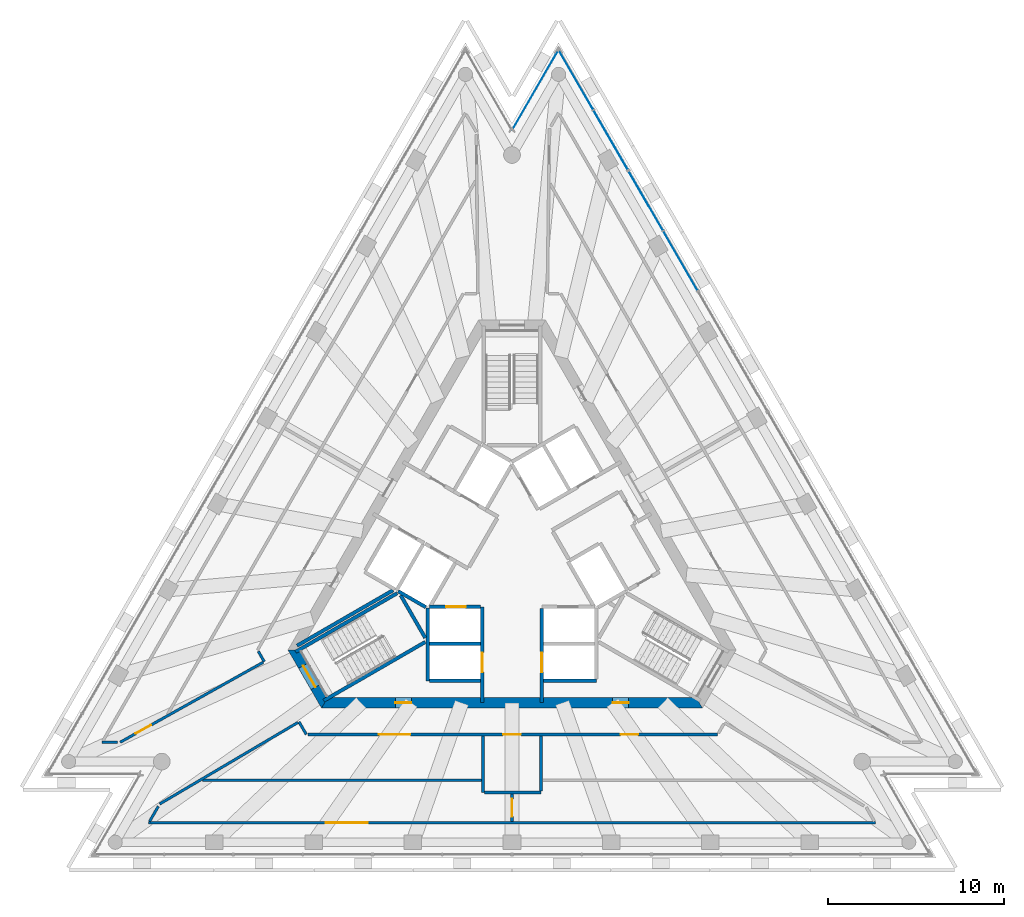
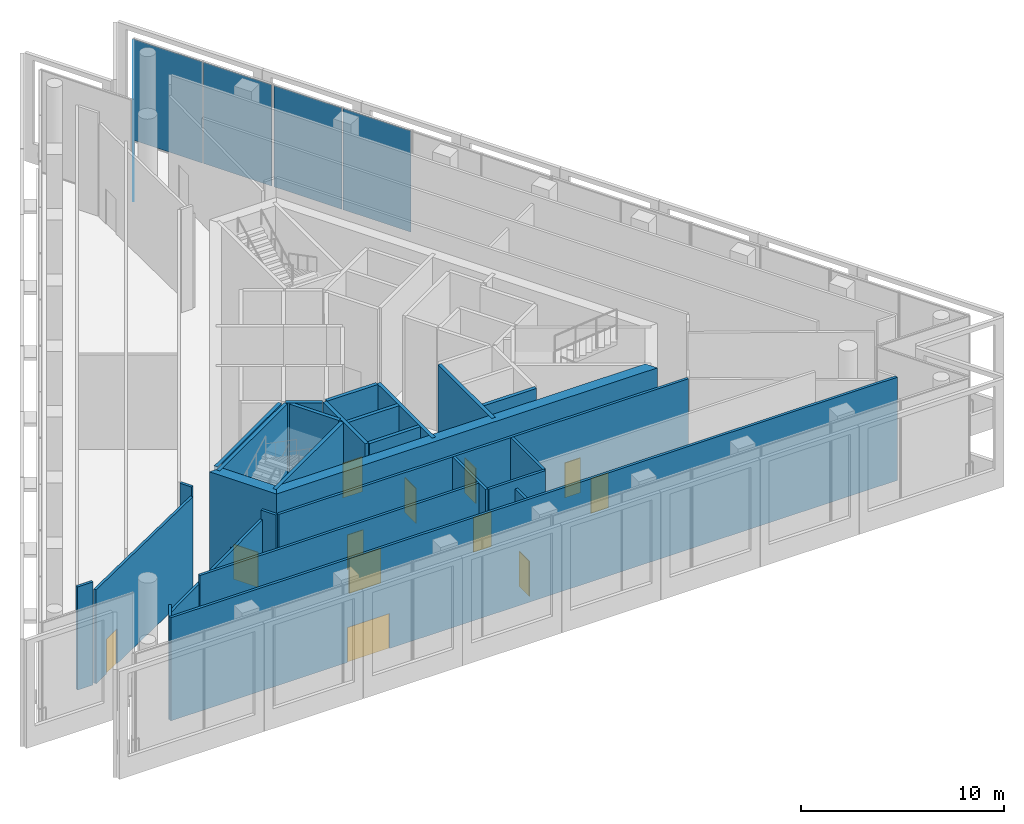
# One storey, part 10 of 16: 27 walls, 12 doors, 5 plates, 12 openings, 3 elements without a shape of their own.
"""IFC4 building model written with IfcOpenShell, lengths in metres."""

from ifc_helpers import new_model, si_unit, direction, frame, frame_2d, origin, origin_2d, place, context, subcontext, project, spatial, polyline, rectangle, outline, extrude, material, layer, layer_set, type_object, element, fill, aggregate, save


model = new_model("IFC4")

# Units and contexts
model_context = context("Model", 3, precision=1e-05, world=origin(), true_north=direction((0.0, 1.0)))
body_context = subcontext(model_context, "Body", "Model", "MODEL_VIEW")
ifc_project = project(units=[si_unit("LENGTHUNIT", "METRE"), si_unit("AREAUNIT", "SQUARE_METRE"), si_unit("VOLUMEUNIT", "CUBIC_METRE"), si_unit("PLANEANGLEUNIT", "RADIAN"), si_unit("MASSUNIT", "GRAM", prefix="KILO")], contexts=[model_context])

# Site, building, storey
site_placement = place(None, origin())
site = spatial("IfcSite", under=ifc_project, at=site_placement, CompositionType="ELEMENT")
building_placement = place(site_placement, origin())
building = spatial("IfcBuilding", under=site, at=building_placement, Name="Triada Interchange Tower", CompositionType="ELEMENT")
storey_placement = place(building_placement, frame((0.0, 0.0, 261.800048828125)))
storey = spatial("IfcBuildingStorey", under=building, at=storey_placement, Name="L61", CompositionType="ELEMENT", Elevation=261.800048828125)

# Curtain wall, plates
ifc_material_1 = material(Name="Aluminium framed glazing", Category="aluminium")
ifc_layer_1 = layer(ifc_material_1, 0.199951171875)
ifc_layer_set_1 = layer_set([ifc_layer_1], Name="Curtain wall Sky lobby glazing")
curtain_wall_type_1 = type_object("IfcCurtainWallType", Name="Curtain wall Sky lobby glazing", PredefinedType="NOTDEFINED", material=ifc_layer_set_1)
curtain_wall_1_placement = place(storey_placement, origin())
curtain_wall_1 = element("IfcCurtainWall", 1, at=curtain_wall_1_placement, inside=storey, type_object=curtain_wall_type_1, Name="Sky lobby glazing CW221 L61", PredefinedType="NOTDEFINED")
ifc_material_2 = material(Name="Insulated glazing unit", Category="glass")
ifc_layer_2 = layer(ifc_material_2, 0.028076171875)
ifc_layer_set_2 = layer_set([ifc_layer_2], Name="Glazing panel Sky lobby glazing 28")
plate_type_1 = type_object("IfcPlateType", Name="Glazing panel Sky lobby glazing 28", PredefinedType="CURTAIN_PANEL", material=ifc_layer_set_2)
plate_1_placement = place(storey_placement, frame((9.56884765625, 16.97802734375, 0.059814453125), z_axis=(0.0, 0.0, 1.0), x_axis=(-0.499904814926, 0.866080351938, 0.0)))
plate_1 = element("IfcPlate", 2, at=plate_1_placement, type_object=plate_type_1, Name="CW221 panel 1.1", PredefinedType="CURTAIN_PANEL", context=body_context, shape_type="SweptSolid", body=[
    extrude(rectangle(XDim=3.86572265625, YDim=0.028076171875, at=origin_2d()), origin(), (0.0, 0.0, 1.0), 6.080078125),
])
plate_2_placement = place(storey_placement, frame((7.606201171875, 20.3779296875, 0.059814453125), z_axis=(0.0, 0.0, 1.0), x_axis=(-0.499904814926, 0.866080351938, 0.0)))
plate_2 = element("IfcPlate", 3, at=plate_2_placement, type_object=plate_type_1, Name="CW221 panel 2.1", PredefinedType="CURTAIN_PANEL", context=body_context, shape_type="SweptSolid", body=[
    extrude(rectangle(XDim=3.86572265625, YDim=0.028076171875, at=origin_2d()), origin(), (0.0, 0.0, 1.0), 6.080078125),
])
aggregate(curtain_wall_1, [plate_1, plate_2])

curtain_wall_2_placement = place(storey_placement, origin())
curtain_wall_2 = element("IfcCurtainWall", 4, at=curtain_wall_2_placement, inside=storey, type_object=curtain_wall_type_1, Name="Sky lobby glazing CW222 L61", PredefinedType="NOTDEFINED")
plate_3_placement = place(storey_placement, frame((5.607666015625, 23.839111328125, 0.059814453125), z_axis=(0.0, 0.0, 1.0), x_axis=(-0.500065038095, 0.865987850767, 0.0)))
plate_3 = element("IfcPlate", 5, at=plate_3_placement, type_object=plate_type_1, Name="CW222 panel 1.1", PredefinedType="CURTAIN_PANEL", context=body_context, shape_type="SweptSolid", body=[
    extrude(rectangle(XDim=3.868408203125, YDim=0.028076171875, at=origin_2d()), origin(), (0.0, 0.0, 1.0), 6.080078125),
])
plate_4_placement = place(storey_placement, frame((3.643310546875, 27.240966796875, 0.059814453125), z_axis=(0.0, 0.0, 1.0), x_axis=(-0.500065038095, 0.865987850767, 0.0)))
plate_4 = element("IfcPlate", 6, at=plate_4_placement, type_object=plate_type_1, Name="CW222 panel 2.1", PredefinedType="CURTAIN_PANEL", context=body_context, shape_type="SweptSolid", body=[
    extrude(rectangle(XDim=3.868408203125, YDim=0.028076171875, at=origin_2d()), origin(), (0.0, 0.0, 1.0), 6.080078125),
])
aggregate(curtain_wall_2, [plate_3, plate_4])

# Curtain wall, plate
ifc_layer_3 = layer(ifc_material_1, 0.199951171875)
ifc_layer_set_3 = layer_set([ifc_layer_3], Name="Curtain wall Winter garden glazing")
curtain_wall_type_2 = type_object("IfcCurtainWallType", Name="Curtain wall Winter garden glazing", PredefinedType="NOTDEFINED", material=ifc_layer_set_3)
curtain_wall_3_placement = place(storey_placement, origin())
curtain_wall_3 = element("IfcCurtainWall", 7, at=curtain_wall_3_placement, inside=storey, type_object=curtain_wall_type_2, Name="Winter garden glazing CW223 L61", PredefinedType="NOTDEFINED")
ifc_layer_4 = layer(ifc_material_2, 0.02392578125)
ifc_layer_set_4 = layer_set([ifc_layer_4], Name="Glazing panel Winter garden glazing 24")
plate_type_2 = type_object("IfcPlateType", Name="Glazing panel Winter garden glazing 24", PredefinedType="CURTAIN_PANEL", material=ifc_layer_set_4)
plate_5_placement = place(storey_placement, frame((1.30810546875, 26.650390625, 0.0498046875), z_axis=(0.0, 0.0, 1.0), x_axis=(-0.50000371709, -0.866023257711, 0.0)))
plate_5 = element("IfcPlate", 8, at=plate_5_placement, type_object=plate_type_2, Name="CW223 panel 1.1", PredefinedType="CURTAIN_PANEL", context=body_context, shape_type="SweptSolid", body=[
    extrude(rectangle(XDim=5.132080078125, YDim=0.02392578125, at=origin_2d()), origin(), (0.0, 0.0, 1.0), 6.10009765625),
])
aggregate(curtain_wall_3, [plate_5])

# Walls
ifc_material_3 = material(Name="Concrete C30/37", Category="concrete")
ifc_layer_5 = layer(ifc_material_3, 0.199951171875)
ifc_layer_set_5 = layer_set([ifc_layer_5], Name="CORE WALL 200 EI 120")
wall_type_1 = type_object("IfcWallType", Name="CORE WALL 200 EI 120", PredefinedType="SOLIDWALL", material=ifc_layer_set_5)
wall_1_placement = place(storey_placement, frame((-4.800048828125, -6.89990234375, 0.0), z_axis=(0.0, 0.0, 1.0), x_axis=(0.0, 1.0, 0.0)))
element("IfcWall", 9, at=wall_1_placement, inside=storey, type_object=wall_type_1, Name="Wall L61 39", PredefinedType="SOLIDWALL", context=body_context, shape_type="SweptSolid", body=[
    extrude(rectangle(XDim=4.130859375, YDim=0.199951171875, at=frame_2d((2.0654296875, 0.0))), origin(), (0.0, 0.0, 1.0), 6.199951171875),
])
wall_2_placement = place(storey_placement, frame((-4.699951171875, -6.89990234375, 0.0), z_axis=(0.0, 0.0, 1.0), x_axis=(1.0, 0.0, 0.0)))
element("IfcWall", 10, at=wall_2_placement, inside=storey, type_object=wall_type_1, Name="Wall L61 40", PredefinedType="SOLIDWALL", context=body_context, shape_type="SweptSolid", body=[
    extrude(rectangle(XDim=2.89990234375, YDim=0.199951171875, at=frame_2d((1.449951171875, 0.0))), origin(), (0.0, 0.0, 1.0), 6.199951171875),
])
wall_3_placement = place(storey_placement, frame((1.800048828125, -6.89990234375, 0.0), z_axis=(0.0, 0.0, 1.0), x_axis=(1.0, 0.0, 0.0)))
element("IfcWall", 11, at=wall_3_placement, inside=storey, type_object=wall_type_1, Name="Wall L61 41", PredefinedType="SOLIDWALL", context=body_context, shape_type="SweptSolid", body=[
    extrude(rectangle(XDim=3.0, YDim=0.199951171875, at=frame_2d((1.5, 0.0))), origin(), (0.0, 0.0, 1.0), 6.199951171875),
])
wall_4_placement = place(storey_placement, frame((-4.699951171875, -4.800048828125, 0.0), z_axis=(0.0, 0.0, 1.0), x_axis=(1.0, 0.0, 0.0)))
element("IfcWall", 12, at=wall_4_placement, inside=storey, type_object=wall_type_1, Name="Wall L61 42", PredefinedType="SOLIDWALL", context=body_context, shape_type="SweptSolid", body=[
    extrude(rectangle(XDim=2.89990234375, YDim=0.199951171875, at=frame_2d((1.449951171875, 0.0))), origin(), (0.0, 0.0, 1.0), 6.199951171875),
])

# Wall, opening, door
wall_5_placement = place(storey_placement, frame((-1.699951171875, -8.1298828125, 0.0), z_axis=(0.0, 0.0, 1.0), x_axis=(0.0, 1.0, 0.0)))
wall_5 = element("IfcWall", 13, at=wall_5_placement, inside=storey, type_object=wall_type_1, Name="Wall L61 44", PredefinedType="SOLIDWALL", context=body_context, shape_type="SweptSolid", body=[
    extrude(rectangle(XDim=5.427001953125, YDim=0.199951171875, at=frame_2d((2.71337890625, 0.0))), origin(), (0.0, 0.0, 1.0), 6.199951171875),
])
opening_1_placement = place(wall_5_placement, frame((1.72998046875, 0.0, 0.0)))
opening_1 = element("IfcOpeningElement", 14, at=opening_1_placement, cuts=wall_5, Name="Opening LD-HR4", PredefinedType="OPENING", context=body_context, shape_type="SweptSolid", body=[
    extrude(rectangle(XDim=1.10009765625, YDim=2.10009765625, at=frame_2d((0.550048828125, 1.050048828125))), frame((0.0, 0.10986328125, 0.0), z_axis=(0.0, -1.0, 0.0), x_axis=(1.0, 0.0, 0.0)), (0.0, 0.0, 1.0), 0.219970703125),
])
ifc_material_4 = material(Name="Steel S235 door leaf", Category="steel")
door_type_1 = type_object("IfcDoorType", Name="LIFT LANDING DOOR 1100 EI 120", OperationType="SLIDING_TO_LEFT", PredefinedType="DOOR", material=ifc_material_4)
door_1_placement = place(opening_1_placement, origin())
door_1 = element("IfcDoor", 15, at=door_1_placement, inside=storey, type_object=door_type_1, Name="HR4 landing door L61", OperationType="SLIDING_TO_LEFT", OverallHeight=2.10009765625, OverallWidth=1.10009765625, PredefinedType="DOOR", context=body_context, shape_type="SweptSolid", body=[
    extrude(rectangle(XDim=1.10009765625, YDim=2.10009765625, at=frame_2d((0.550048828125, 1.050048828125))), frame((0.0, 0.02490234375, 0.0), z_axis=(0.0, -1.0, 0.0), x_axis=(1.0, 0.0, 0.0)), (0.0, 0.0, 1.0), 0.050048828125),
])
fill(opening_1, door_1)

wall_6_placement = place(storey_placement, frame((-4.676025390625, -2.699951171875, 0.0), z_axis=(0.0, 0.0, 1.0), x_axis=(1.0, 0.0, 0.0)))
wall_6 = element("IfcWall", 16, at=wall_6_placement, inside=storey, type_object=wall_type_1, Name="Wall L61 45", PredefinedType="SOLIDWALL", context=body_context, shape_type="SweptSolid", body=[
    extrude(rectangle(XDim=2.873046875, YDim=0.199951171875, at=frame_2d((1.4365234375, 0.0))), origin(), (0.0, 0.0, 1.0), 6.199951171875),
])
opening_2_placement = place(wall_6_placement, frame((0.93701171875, 0.0, 0.0)))
opening_2 = element("IfcOpeningElement", 17, at=opening_2_placement, cuts=wall_6, Name="Opening LD-HR3", PredefinedType="OPENING", context=body_context, shape_type="SweptSolid", body=[
    extrude(rectangle(XDim=1.10009765625, YDim=2.10009765625, at=frame_2d((0.550048828125, 1.050048828125))), frame((0.0, 0.10986328125, 0.0), z_axis=(0.0, -1.0, 0.0), x_axis=(1.0, 0.0, 0.0)), (0.0, 0.0, 1.0), 0.219970703125),
])
door_2_placement = place(opening_2_placement, origin())
door_2 = element("IfcDoor", 18, at=door_2_placement, inside=storey, type_object=door_type_1, Name="HR3 landing door L61", OperationType="SLIDING_TO_LEFT", OverallHeight=2.10009765625, OverallWidth=1.10009765625, PredefinedType="DOOR", context=body_context, shape_type="SweptSolid", body=[
    extrude(rectangle(XDim=1.10009765625, YDim=2.10009765625, at=frame_2d((0.550048828125, 1.050048828125))), frame((0.0, 0.02490234375, 0.0), z_axis=(0.0, -1.0, 0.0), x_axis=(1.0, 0.0, 0.0)), (0.0, 0.0, 1.0), 0.050048828125),
])
fill(opening_2, door_2)

wall_7_placement = place(storey_placement, frame((1.699951171875, -8.1298828125, 0.0), z_axis=(0.0, 0.0, 1.0), x_axis=(0.0, 1.0, 0.0)))
wall_7 = element("IfcWall", 19, at=wall_7_placement, inside=storey, type_object=wall_type_1, Name="Wall L61 51", PredefinedType="SOLIDWALL", context=body_context, shape_type="SweptSolid", body=[
    extrude(rectangle(XDim=5.326904296875, YDim=0.199951171875, at=frame_2d((2.66357421875, 0.0))), origin(), (0.0, 0.0, 1.0), 6.199951171875),
])
opening_3_placement = place(wall_7_placement, frame((1.72998046875, 0.0, 0.0)))
opening_3 = element("IfcOpeningElement", 20, at=opening_3_placement, cuts=wall_7, Name="Opening LD-HR2", PredefinedType="OPENING", context=body_context, shape_type="SweptSolid", body=[
    extrude(rectangle(XDim=1.10009765625, YDim=2.10009765625, at=frame_2d((0.550048828125, 1.050048828125))), frame((0.0, 0.10986328125, 0.0), z_axis=(0.0, -1.0, 0.0), x_axis=(1.0, 0.0, 0.0)), (0.0, 0.0, 1.0), 0.219970703125),
])
door_3_placement = place(opening_3_placement, origin())
door_3 = element("IfcDoor", 21, at=door_3_placement, inside=storey, type_object=door_type_1, Name="HR2 landing door L61", OperationType="SLIDING_TO_LEFT", OverallHeight=2.10009765625, OverallWidth=1.10009765625, PredefinedType="DOOR", context=body_context, shape_type="SweptSolid", body=[
    extrude(rectangle(XDim=1.10009765625, YDim=2.10009765625, at=frame_2d((0.550048828125, 1.050048828125))), frame((0.0, 0.02490234375, 0.0), z_axis=(0.0, -1.0, 0.0), x_axis=(1.0, 0.0, 0.0)), (0.0, 0.0, 1.0), 0.050048828125),
])
fill(opening_3, door_3)

# Walls
ifc_layer_6 = layer(ifc_material_3, 0.199951171875)
ifc_layer_set_6 = layer_set([ifc_layer_6], Name="CORE WALL 200 EI 180")
wall_type_2 = type_object("IfcWallType", Name="CORE WALL 200 EI 180", PredefinedType="SOLIDWALL", material=ifc_layer_set_6)
wall_8_placement = place(storey_placement, frame((-6.469970703125, -1.806884765625, 0.0), z_axis=(0.0, 0.0, 1.0), x_axis=(0.865883195159, -0.500246231712, 0.0)))
element("IfcWall", 22, at=wall_8_placement, inside=storey, type_object=wall_type_2, Name="Shaft wall FF1 L61 70", PredefinedType="SOLIDWALL", context=body_context, shape_type="SweptSolid", body=[
    extrude(rectangle(XDim=1.8154296875, YDim=0.199951171875, at=frame_2d((0.90771484375, 0.0))), origin(), (0.0, 0.0, 1.0), 6.199951171875),
])
ifc_layer_7 = layer(ifc_material_3, 0.199951171875)
ifc_layer_set_7 = layer_set([ifc_layer_7], Name="CORE WALL 200 EI 90")
wall_type_3 = type_object("IfcWallType", Name="CORE WALL 200 EI 90", PredefinedType="SOLIDWALL", material=ifc_layer_set_7)
wall_9_placement = place(storey_placement, frame((-12.218994140625, -4.904052734375, 0.0), z_axis=(0.0, 0.0, 1.0), x_axis=(0.8660578368, 0.499943820161, 0.0)))
element("IfcWall", 23, at=wall_9_placement, inside=storey, type_object=wall_type_3, Name="Wall L61 77", PredefinedType="SOLIDWALL", context=body_context, shape_type="SweptSolid", body=[
    extrude(rectangle(XDim=6.301025390625, YDim=0.199951171875, at=frame_2d((3.150390625, 0.0))), origin(), (0.0, 0.0, 1.0), 6.199951171875),
])
ifc_layer_8 = layer(ifc_material_3, 0.199951171875)
ifc_layer_set_8 = layer_set([ifc_layer_8], Name="CORE WALL 200 REI 240")
wall_type_4 = type_object("IfcWallType", Name="CORE WALL 200 REI 240", PredefinedType="SOLIDWALL", material=ifc_layer_set_8)
wall_10_placement = place(storey_placement, frame((-12.301025390625, -5.25390625, 0.0), z_axis=(0.0, 0.0, 1.0), x_axis=(0.866068467981, 0.499925403204, 0.0)))
element("IfcWall", 24, at=wall_10_placement, inside=storey, type_object=wall_type_4, Name="Wall L61 82", PredefinedType="SOLIDWALL", context=body_context, shape_type="SweptSolid", body=[
    extrude(rectangle(XDim=6.66455078125, YDim=0.199951171875, at=frame_2d((3.332275390625, 0.0))), origin(), (0.0, 0.0, 1.0), 6.199951171875),
])
wall_11_placement = place(storey_placement, frame((-6.3291015625, -2.0380859375, 0.0), z_axis=(0.0, 0.0, 1.0), x_axis=(0.500200581029, -0.865909567298, 0.0)))
element("IfcWall", 25, at=wall_11_placement, inside=storey, type_object=wall_type_4, Name="Wall L61 83", PredefinedType="SOLIDWALL", context=body_context, shape_type="SweptSolid", body=[
    extrude(rectangle(XDim=2.799072265625, YDim=0.199951171875, at=frame_2d((1.3994140625, 0.0))), origin(), (0.0, 0.0, 1.0), 6.199951171875),
])
wall_12_placement = place(storey_placement, frame((-10.700927734375, -8.02587890625, 0.0), z_axis=(0.0, 0.0, 1.0), x_axis=(0.866005022404, 0.500035299925, 0.0)))
element("IfcWall", 26, at=wall_12_placement, inside=storey, type_object=wall_type_4, Name="Wall L61 84", PredefinedType="SOLIDWALL", context=body_context, shape_type="SweptSolid", body=[
    extrude(rectangle(XDim=6.6650390625, YDim=0.199951171875, at=frame_2d((3.33251953125, 0.0))), origin(), (0.0, 0.0, 1.0), 6.199951171875),
])

# Wall, opening, door
ifc_material_5 = material(Name="Concrete C40/50", Category="concrete")
ifc_layer_9 = layer(ifc_material_5, 0.60009765625)
ifc_layer_set_9 = layer_set([ifc_layer_9], Name="Core wall D 600")
wall_type_5 = type_object("IfcWallType", Name="Core wall D 600", PredefinedType="SHEAR", material=ifc_layer_set_9)
wall_13_placement = place(storey_placement, frame((-12.384033203125, -5.14990234375, -0.300048828125), z_axis=(0.0, 0.0, 1.0), x_axis=(0.49997462182, -0.866040055388, 0.0)))
wall_13 = element("IfcWall", 27, at=wall_13_placement, inside=storey, type_object=wall_type_5, Name="Core wall WD03 L61", PredefinedType="SHEAR", context=body_context, shape_type="SweptSolid", body=[
    extrude(outline(polyline([(-0.173095703125, -0.301025390625), (1.73193359375, -0.300537109375), (3.636962890625, -0.300048828125), (3.291015625, 0.300048828125), (1.73193359375, 0.300048828125), (0.173095703125, 0.300048828125), (-0.173095703125, -0.301025390625)])), origin(), (0.0, 0.0, 1.0), 6.5),
])
opening_4_placement = place(wall_13_placement, frame((1.031982421875, 0.0, 0.300048828125)))
opening_4 = element("IfcOpeningElement", 28, at=opening_4_placement, cuts=wall_13, Name="Opening D61-26", PredefinedType="OPENING", context=body_context, shape_type="SweptSolid", body=[
    extrude(rectangle(XDim=1.39990234375, YDim=2.10009765625, at=frame_2d((0.699951171875, 1.050048828125))), frame((0.0, 0.31005859375, 0.0), z_axis=(0.0, -1.0, 0.0), x_axis=(1.0, 0.0, 0.0)), (0.0, 0.0, 1.0), 0.62109375),
])
door_type_2 = type_object("IfcDoorType", Name="STAIR DOOR 1400 EI2 90-C5S200", OperationType="DOUBLE_DOOR_SINGLE_SWING", PredefinedType="DOOR", material=ifc_material_4)
door_4_placement = place(opening_4_placement, origin())
door_4 = element("IfcDoor", 29, at=door_4_placement, inside=storey, type_object=door_type_2, Name="Door D61-26 L61", OperationType="DOUBLE_DOOR_SINGLE_SWING", OverallHeight=2.10009765625, OverallWidth=1.39990234375, PredefinedType="DOOR", context=body_context, shape_type="SweptSolid", body=[
    extrude(rectangle(XDim=1.39990234375, YDim=2.10009765625, at=frame_2d((0.699951171875, 1.050048828125))), frame((0.0, 0.02490234375, 0.0), z_axis=(0.0, -1.0, 0.0), x_axis=(1.0, 0.0, 0.0)), (0.0, 0.0, 1.0), 0.050048828125),
])
fill(opening_4, door_4)

# Wall, openings, doors
wall_14_placement = place(storey_placement, frame((-10.652099609375, -8.14990234375, -0.300048828125), z_axis=(0.0, 0.0, 1.0), x_axis=(1.0, 0.0, 0.0)))
wall_14 = element("IfcWall", 30, at=wall_14_placement, inside=storey, type_object=wall_type_5, Name="Core wall WD04 L61", PredefinedType="SHEAR", context=body_context, shape_type="SweptSolid", body=[
    extrude(outline(polyline([(-0.173095703125, -0.300048828125), (1.795166015625, -0.300048828125), (3.76318359375, -0.300048828125), (5.7314453125, -0.300048828125), (7.69970703125, -0.300048828125), (9.66796875, -0.300048828125), (11.635986328125, -0.300048828125), (13.604248046875, -0.300048828125), (15.572509765625, -0.300048828125), (17.540771484375, -0.300048828125), (19.5087890625, -0.300048828125), (21.47705078125, -0.300048828125), (21.131103515625, 0.300048828125), (19.225830078125, 0.300048828125), (17.320556640625, 0.300048828125), (15.415283203125, 0.300048828125), (13.510009765625, 0.300048828125), (11.604736328125, 0.300048828125), (9.699462890625, 0.300048828125), (7.794189453125, 0.300048828125), (5.888916015625, 0.300048828125), (3.983642578125, 0.300048828125), (2.078369140625, 0.300048828125), (0.173095703125, 0.300048828125), (-0.173095703125, -0.300048828125)])), origin(), (0.0, 0.0, 1.0), 6.5),
])
opening_5_placement = place(wall_14_placement, frame((4.02587890625, 0.0, 0.300048828125)))
opening_5 = element("IfcOpeningElement", 31, at=opening_5_placement, cuts=wall_14, Name="Opening D61-30", PredefinedType="OPENING", context=body_context, shape_type="SweptSolid", body=[
    extrude(rectangle(XDim=0.89990234375, YDim=2.10009765625, at=frame_2d((0.449951171875, 1.050048828125))), frame((0.0, 0.31005859375, 0.0), z_axis=(0.0, -1.0, 0.0), x_axis=(1.0, 0.0, 0.0)), (0.0, 0.0, 1.0), 0.6201171875),
])
opening_6_placement = place(wall_14_placement, frame((16.3779296875, 0.0, 0.300048828125)))
opening_6 = element("IfcOpeningElement", 32, at=opening_6_placement, cuts=wall_14, Name="Opening D61-32", PredefinedType="OPENING", context=body_context, shape_type="SweptSolid", body=[
    extrude(rectangle(XDim=0.89990234375, YDim=2.10009765625, at=frame_2d((0.449951171875, 1.050048828125))), frame((0.0, 0.31005859375, 0.0), z_axis=(0.0, -1.0, 0.0), x_axis=(1.0, 0.0, 0.0)), (0.0, 0.0, 1.0), 0.6201171875),
])
door_type_3 = type_object("IfcDoorType", Name="SERVICE DOOR 900 EI2 45-C5S200", OperationType="NOTDEFINED", PredefinedType="DOOR", material=ifc_material_4)
door_5_placement = place(opening_5_placement, origin())
door_5 = element("IfcDoor", 33, at=door_5_placement, inside=storey, type_object=door_type_3, Name="Door D61-30 L61", OperationType="SINGLE_SWING_RIGHT", OverallHeight=2.10009765625, OverallWidth=0.89990234375, PredefinedType="DOOR", context=body_context, shape_type="SweptSolid", body=[
    extrude(rectangle(XDim=0.89990234375, YDim=2.10009765625, at=frame_2d((0.449951171875, 1.050048828125))), frame((0.0, 0.02490234375, 0.0), z_axis=(0.0, -1.0, 0.0), x_axis=(1.0, 0.0, 0.0)), (0.0, 0.0, 1.0), 0.050048828125),
])
fill(opening_5, door_5)
door_6_placement = place(opening_6_placement, origin())
door_6 = element("IfcDoor", 34, at=door_6_placement, inside=storey, type_object=door_type_3, Name="Door D61-32 L61", OperationType="SINGLE_SWING_RIGHT", OverallHeight=2.10009765625, OverallWidth=0.89990234375, PredefinedType="DOOR", context=body_context, shape_type="SweptSolid", body=[
    extrude(rectangle(XDim=0.89990234375, YDim=2.10009765625, at=frame_2d((0.449951171875, 1.050048828125))), frame((0.0, 0.02490234375, 0.0), z_axis=(0.0, -1.0, 0.0), x_axis=(1.0, 0.0, 0.0)), (0.0, 0.0, 1.0), 0.050048828125),
])
fill(opening_6, door_6)

# Walls
ifc_material_6 = material(Name="Gypsum board partition")
ifc_layer_10 = layer(ifc_material_6, 0.14990234375)
ifc_layer_set_10 = layer_set([ifc_layer_10], Name="PARTITION 150")
wall_type_6 = type_object("IfcWallType", Name="PARTITION 150", PredefinedType="PARTITIONING", material=ifc_layer_set_10)
wall_15_placement = place(storey_placement, frame((-1.64990234375, -13.25, 0.0), z_axis=(0.0, 0.0, 1.0), x_axis=(0.0, 1.0, 0.0)))
element("IfcWall", 35, at=wall_15_placement, inside=storey, type_object=wall_type_6, Name="Wall L61 31", PredefinedType="PARTITIONING", context=body_context, shape_type="SweptSolid", body=[
    extrude(rectangle(XDim=3.22509765625, YDim=0.14990234375, at=frame_2d((1.612548828125, 0.0))), origin(), (0.0, 0.0, 1.0), 6.199951171875),
])
wall_16_placement = place(storey_placement, frame((1.64990234375, -13.175048828125, 0.0), z_axis=(0.0, 0.0, 1.0), x_axis=(0.0, 1.0, 0.0)))
element("IfcWall", 36, at=wall_16_placement, inside=storey, type_object=wall_type_6, Name="Wall L61 35", PredefinedType="PARTITIONING", context=body_context, shape_type="SweptSolid", body=[
    extrude(rectangle(XDim=3.150146484375, YDim=0.14990234375, at=frame_2d((1.5751953125, 0.0))), origin(), (0.0, 0.0, 1.0), 6.199951171875),
])
ifc_layer_11 = layer(ifc_material_6, 0.14990234375)
ifc_layer_set_11 = layer_set([ifc_layer_11], Name="PARTITION 150 EI 90")
wall_type_7 = type_object("IfcWallType", Name="PARTITION 150 EI 90", PredefinedType="PARTITIONING", material=ifc_layer_set_11)
wall_17_placement = place(storey_placement, frame((-14.4189453125, -5.22509765625, 0.0), z_axis=(0.0, 0.0, 1.0), x_axis=(0.499390178911, -0.866377197996, 0.0)))
element("IfcWall", 37, at=wall_17_placement, inside=storey, type_object=wall_type_7, Name="Wall L61 13", PredefinedType="PARTITIONING", context=body_context, shape_type="SweptSolid", body=[
    extrude(rectangle(XDim=0.678466796875, YDim=0.14990234375, at=frame_2d((0.33935546875, 0.0))), origin(), (0.0, 0.0, 1.0), 6.199951171875),
])
wall_18_placement = place(storey_placement, frame((-12.10693359375, -9.23095703125, 0.0), z_axis=(0.0, 0.0, 1.0), x_axis=(0.500816129582, -0.865553698133, 0.0)))
element("IfcWall", 38, at=wall_18_placement, inside=storey, type_object=wall_type_7, Name="Wall L61 14", PredefinedType="PARTITIONING", context=body_context, shape_type="SweptSolid", body=[
    extrude(rectangle(XDim=0.83056640625, YDim=0.14990234375, at=frame_2d((0.415283203125, 0.0))), origin(), (0.0, 0.0, 1.0), 6.199951171875),
])

# Wall, opening, door
wall_19_placement = place(storey_placement, frame((-22.26806640625, -10.39208984375, 0.0), z_axis=(0.0, 0.0, 1.0), x_axis=(0.872777845943, 0.488117641179, 0.0)))
wall_19 = element("IfcWall", 39, at=wall_19_placement, inside=storey, type_object=wall_type_7, Name="Wall L61 15", PredefinedType="PARTITIONING", context=body_context, shape_type="SweptSolid", body=[
    extrude(rectangle(XDim=9.30712890625, YDim=0.14990234375, at=frame_2d((4.653564453125, 0.0))), origin(), (0.0, 0.0, 1.0), 5.64990234375),
])
opening_7_placement = place(wall_19_placement, frame((1.006103515625, 0.0, 0.0)))
opening_7 = element("IfcOpeningElement", 40, at=opening_7_placement, cuts=wall_19, Name="Opening D61-23", PredefinedType="OPENING", context=body_context, shape_type="SweptSolid", body=[
    extrude(rectangle(XDim=1.0, YDim=2.10009765625, at=frame_2d((0.5, 1.050048828125))), frame((0.0, 0.0849609375, 0.0), z_axis=(0.0, -1.0, 0.0), x_axis=(1.0, 0.0, 0.0)), (0.0, 0.0, 1.0), 0.169921875),
])
door_type_4 = type_object("IfcDoorType", Name="ROOM DOOR 1000 EI2 90-C5S200", OperationType="NOTDEFINED", PredefinedType="DOOR", material=ifc_material_4)
door_7_placement = place(opening_7_placement, origin())
door_7 = element("IfcDoor", 41, at=door_7_placement, inside=storey, type_object=door_type_4, Name="Door D61-23 L61", OperationType="SINGLE_SWING_LEFT", OverallHeight=2.10009765625, OverallWidth=1.0, PredefinedType="DOOR", context=body_context, shape_type="SweptSolid", body=[
    extrude(rectangle(XDim=1.0, YDim=2.10009765625, at=frame_2d((0.5, 1.050048828125))), frame((0.0, 0.02490234375, 0.0), z_axis=(0.0, -1.0, 0.0), x_axis=(1.0, 0.0, 0.0)), (0.0, 0.0, 1.0), 0.050048828125),
])
fill(opening_7, door_7)

# Walls
wall_20_placement = place(storey_placement, frame((-23.29296875, -10.39208984375, 0.0), z_axis=(0.0, 0.0, 1.0), x_axis=(1.0, 0.0, 0.0)))
element("IfcWall", 42, at=wall_20_placement, inside=storey, type_object=wall_type_7, Name="Wall L61 17", PredefinedType="PARTITIONING", context=body_context, shape_type="SweptSolid", body=[
    extrude(rectangle(XDim=0.8720703125, YDim=0.14990234375, at=frame_2d((0.43603515625, 0.0))), origin(), (0.0, 0.0, 1.0), 6.199951171875),
])
wall_21_placement = place(storey_placement, frame((-20.02587890625, -13.902099609375, 0.0), z_axis=(0.0, 0.0, 1.0), x_axis=(0.861335565544, 0.508036458859, 0.0)))
element("IfcWall", 43, at=wall_21_placement, inside=storey, type_object=wall_type_7, Name="Wall L61 19", PredefinedType="PARTITIONING", context=body_context, shape_type="SweptSolid", body=[
    extrude(rectangle(XDim=9.11962890625, YDim=0.14990234375, at=frame_2d((4.559814453125, 0.0))), origin(), (0.0, 0.0, 1.0), 5.64990234375),
])

# Wall, openings, doors
wall_22_placement = place(storey_placement, frame((-11.60498046875, -9.949951171875, 0.0), z_axis=(0.0, 0.0, 1.0), x_axis=(1.0, 0.0, 0.0)))
wall_22 = element("IfcWall", 44, at=wall_22_placement, inside=storey, type_object=wall_type_7, Name="Wall L61 20", PredefinedType="PARTITIONING", context=body_context, shape_type="SweptSolid", body=[
    extrude(rectangle(XDim=23.2958984375, YDim=0.14990234375, at=frame_2d((11.64794921875, 0.0))), origin(), (0.0, 0.0, 1.0), 6.199951171875),
])
opening_8_placement = place(wall_22_placement, frame((11.10498046875, 0.0, 0.0)))
opening_8 = element("IfcOpeningElement", 45, at=opening_8_placement, cuts=wall_22, Name="Opening D61-11", PredefinedType="OPENING", context=body_context, shape_type="SweptSolid", body=[
    extrude(rectangle(XDim=1.0, YDim=2.10009765625, at=frame_2d((0.5, 1.050048828125))), frame((0.0, 0.0849609375, 0.0), z_axis=(0.0, -1.0, 0.0), x_axis=(1.0, 0.0, 0.0)), (0.0, 0.0, 1.0), 0.169921875),
])
opening_9_placement = place(wall_22_placement, frame((4.033935546875, 0.0, 0.0)))
opening_9 = element("IfcOpeningElement", 46, at=opening_9_placement, cuts=wall_22, Name="Opening D61-16", PredefinedType="OPENING", context=body_context, shape_type="SweptSolid", body=[
    extrude(rectangle(XDim=1.800048828125, YDim=2.10009765625, at=frame_2d((0.89990234375, 1.050048828125))), frame((0.0, 0.0849609375, 0.0), z_axis=(0.0, -1.0, 0.0), x_axis=(1.0, 0.0, 0.0)), (0.0, 0.0, 1.0), 0.169921875),
])
opening_10_placement = place(wall_22_placement, frame((17.77587890625, 0.0, 0.0)))
opening_10 = element("IfcOpeningElement", 47, at=opening_10_placement, cuts=wall_22, Name="Opening D61-17", PredefinedType="OPENING", context=body_context, shape_type="SweptSolid", body=[
    extrude(rectangle(XDim=1.0, YDim=2.10009765625, at=frame_2d((0.5, 1.050048828125))), frame((0.0, 0.0849609375, 0.0), z_axis=(0.0, -1.0, 0.0), x_axis=(1.0, 0.0, 0.0)), (0.0, 0.0, 1.0), 0.169921875),
])
door_type_5 = type_object("IfcDoorType", Name="ROOM DOOR 1000 EI2 45-C5S200", OperationType="NOTDEFINED", PredefinedType="DOOR", material=ifc_material_4)
door_8_placement = place(opening_8_placement, origin())
door_8 = element("IfcDoor", 48, at=door_8_placement, inside=storey, type_object=door_type_5, Name="Door D61-11 L61", OperationType="SINGLE_SWING_LEFT", OverallHeight=2.10009765625, OverallWidth=1.0, PredefinedType="DOOR", context=body_context, shape_type="SweptSolid", body=[
    extrude(rectangle(XDim=1.0, YDim=2.10009765625, at=frame_2d((0.5, 1.050048828125))), frame((0.0, 0.02490234375, 0.0), z_axis=(0.0, -1.0, 0.0), x_axis=(1.0, 0.0, 0.0)), (0.0, 0.0, 1.0), 0.050048828125),
])
fill(opening_8, door_8)
door_9_placement = place(opening_10_placement, origin())
door_9 = element("IfcDoor", 49, at=door_9_placement, inside=storey, type_object=door_type_4, Name="Door D61-17 L61", OperationType="SINGLE_SWING_LEFT", OverallHeight=2.10009765625, OverallWidth=1.0, PredefinedType="DOOR", context=body_context, shape_type="SweptSolid", body=[
    extrude(rectangle(XDim=1.0, YDim=2.10009765625, at=frame_2d((0.5, 1.050048828125))), frame((0.0, 0.02490234375, 0.0), z_axis=(0.0, -1.0, 0.0), x_axis=(1.0, 0.0, 0.0)), (0.0, 0.0, 1.0), 0.050048828125),
])
fill(opening_10, door_9)
door_type_6 = type_object("IfcDoorType", Name="SHOP AND HALL ENTRANCE DOOR 1800 EI2 45-C5S200", OperationType="DOUBLE_DOOR_SINGLE_SWING", PredefinedType="DOOR", material=ifc_material_4)
door_10_placement = place(opening_9_placement, origin())
door_10 = element("IfcDoor", 50, at=door_10_placement, inside=storey, type_object=door_type_6, Name="Door D61-16 L61", OperationType="DOUBLE_DOOR_SINGLE_SWING", OverallHeight=2.10009765625, OverallWidth=1.800048828125, PredefinedType="DOOR", context=body_context, shape_type="SweptSolid", body=[
    extrude(rectangle(XDim=1.800048828125, YDim=2.10009765625, at=frame_2d((0.89990234375, 1.050048828125))), frame((0.0, 0.02490234375, 0.0), z_axis=(0.0, -1.0, 0.0), x_axis=(1.0, 0.0, 0.0)), (0.0, 0.0, 1.0), 0.050048828125),
])
fill(opening_9, door_10)

# Wall, opening, door
wall_23_placement = place(storey_placement, frame((-20.64697265625, -14.97607421875, 0.0), z_axis=(0.0, 0.0, 1.0), x_axis=(1.0, 0.0, 0.0)))
wall_23 = element("IfcWall", 51, at=wall_23_placement, inside=storey, type_object=wall_type_7, Name="Wall L61 21", PredefinedType="PARTITIONING", context=body_context, shape_type="SweptSolid", body=[
    extrude(rectangle(XDim=41.2939453125, YDim=0.14990234375, at=frame_2d((20.64697265625, 0.0))), origin(), (0.0, 0.0, 1.0), 6.199951171875),
])
opening_11_placement = place(wall_23_placement, frame((10.047119140625, 0.0, 0.0)))
opening_11 = element("IfcOpeningElement", 52, at=opening_11_placement, cuts=wall_23, Name="Opening D61-18", PredefinedType="OPENING", context=body_context, shape_type="SweptSolid", body=[
    extrude(rectangle(XDim=2.39990234375, YDim=2.10009765625, at=frame_2d((1.199951171875, 1.050048828125))), frame((0.0, 0.0849609375, 0.0), z_axis=(0.0, -1.0, 0.0), x_axis=(1.0, 0.0, 0.0)), (0.0, 0.0, 1.0), 0.169921875),
])
door_type_7 = type_object("IfcDoorType", Name="SHOP AND HALL ENTRANCE DOOR 2400 EI2 90-C5S200", OperationType="DOUBLE_DOOR_SINGLE_SWING", PredefinedType="DOOR", material=ifc_material_4)
door_11_placement = place(opening_11_placement, origin())
door_11 = element("IfcDoor", 53, at=door_11_placement, inside=storey, type_object=door_type_7, Name="Door D61-18 L61", OperationType="DOUBLE_DOOR_SINGLE_SWING", OverallHeight=2.10009765625, OverallWidth=2.39990234375, PredefinedType="DOOR", context=body_context, shape_type="SweptSolid", body=[
    extrude(rectangle(XDim=2.39990234375, YDim=2.10009765625, at=frame_2d((1.199951171875, 1.050048828125))), frame((0.0, 0.02490234375, 0.0), z_axis=(0.0, -1.0, 0.0), x_axis=(1.0, 0.0, 0.0)), (0.0, 0.0, 1.0), 0.050048828125),
])
fill(opening_11, door_11)

# Walls
wall_24_placement = place(storey_placement, frame((-20.60302734375, -14.90087890625, 0.0), z_axis=(0.0, 0.0, 1.0), x_axis=(0.49960277677, 0.866254619292, 0.0)))
element("IfcWall", 54, at=wall_24_placement, inside=storey, type_object=wall_type_7, Name="Wall L61 22", PredefinedType="PARTITIONING", context=body_context, shape_type="SweptSolid", body=[
    extrude(rectangle(XDim=1.000732421875, YDim=0.14990234375, at=frame_2d((0.50048828125, 0.0))), origin(), (0.0, 0.0, 1.0), 6.199951171875),
])
wall_25_placement = place(storey_placement, frame((-17.5869140625, -12.550048828125, 0.0), z_axis=(0.0, 0.0, 1.0), x_axis=(1.0, 0.0, 0.0)))
element("IfcWall", 55, at=wall_25_placement, inside=storey, type_object=wall_type_7, Name="Wall L61 23", PredefinedType="PARTITIONING", context=body_context, shape_type="SweptSolid", body=[
    extrude(rectangle(XDim=15.86181640625, YDim=0.14990234375, at=frame_2d((7.930908203125, 0.0))), origin(), (0.0, 0.0, 1.0), 6.199951171875),
])
wall_26_placement = place(storey_placement, frame((-1.574951171875, -13.25, 0.0), z_axis=(0.0, 0.0, 1.0), x_axis=(1.0, 0.0, 0.0)))
element("IfcWall", 56, at=wall_26_placement, inside=storey, type_object=wall_type_7, Name="Wall L61 32", PredefinedType="PARTITIONING", context=body_context, shape_type="SweptSolid", body=[
    extrude(rectangle(XDim=3.224853515625, YDim=0.14990234375, at=frame_2d((1.6123046875, 0.0))), origin(), (0.0, 0.0, 1.0), 6.199951171875),
])

# Wall, opening, door
wall_27_placement = place(storey_placement, frame((0.0, -14.90087890625, 0.0), z_axis=(0.0, 0.0, 1.0), x_axis=(0.0, 1.0, 0.0)))
wall_27 = element("IfcWall", 57, at=wall_27_placement, inside=storey, type_object=wall_type_7, Name="Wall L61 33", PredefinedType="PARTITIONING", context=body_context, shape_type="SweptSolid", body=[
    extrude(rectangle(XDim=1.575927734375, YDim=0.14990234375, at=frame_2d((0.7880859375, 0.0))), origin(), (0.0, 0.0, 1.0), 5.699951171875),
])
opening_12_placement = place(wall_27_placement, frame((0.2880859375, 0.0, 0.0)))
opening_12 = element("IfcOpeningElement", 58, at=opening_12_placement, cuts=wall_27, Name="Opening D61-19", PredefinedType="OPENING", context=body_context, shape_type="SweptSolid", body=[
    extrude(rectangle(XDim=1.0, YDim=2.10009765625, at=frame_2d((0.5, 1.050048828125))), frame((0.0, 0.0849609375, 0.0), z_axis=(0.0, -1.0, 0.0), x_axis=(1.0, 0.0, 0.0)), (0.0, 0.0, 1.0), 0.169921875),
])
door_12_placement = place(opening_12_placement, origin())
door_12 = element("IfcDoor", 59, at=door_12_placement, inside=storey, type_object=door_type_5, Name="Door D61-19 L61", OperationType="SINGLE_SWING_RIGHT", OverallHeight=2.10009765625, OverallWidth=1.0, PredefinedType="DOOR", context=body_context, shape_type="SweptSolid", body=[
    extrude(rectangle(XDim=1.0, YDim=2.10009765625, at=frame_2d((0.5, 1.050048828125))), frame((0.0, 0.02490234375, 0.0), z_axis=(0.0, -1.0, 0.0), x_axis=(1.0, 0.0, 0.0)), (0.0, 0.0, 1.0), 0.050048828125),
])
fill(opening_12, door_12)

save(model, "model.ifc")
